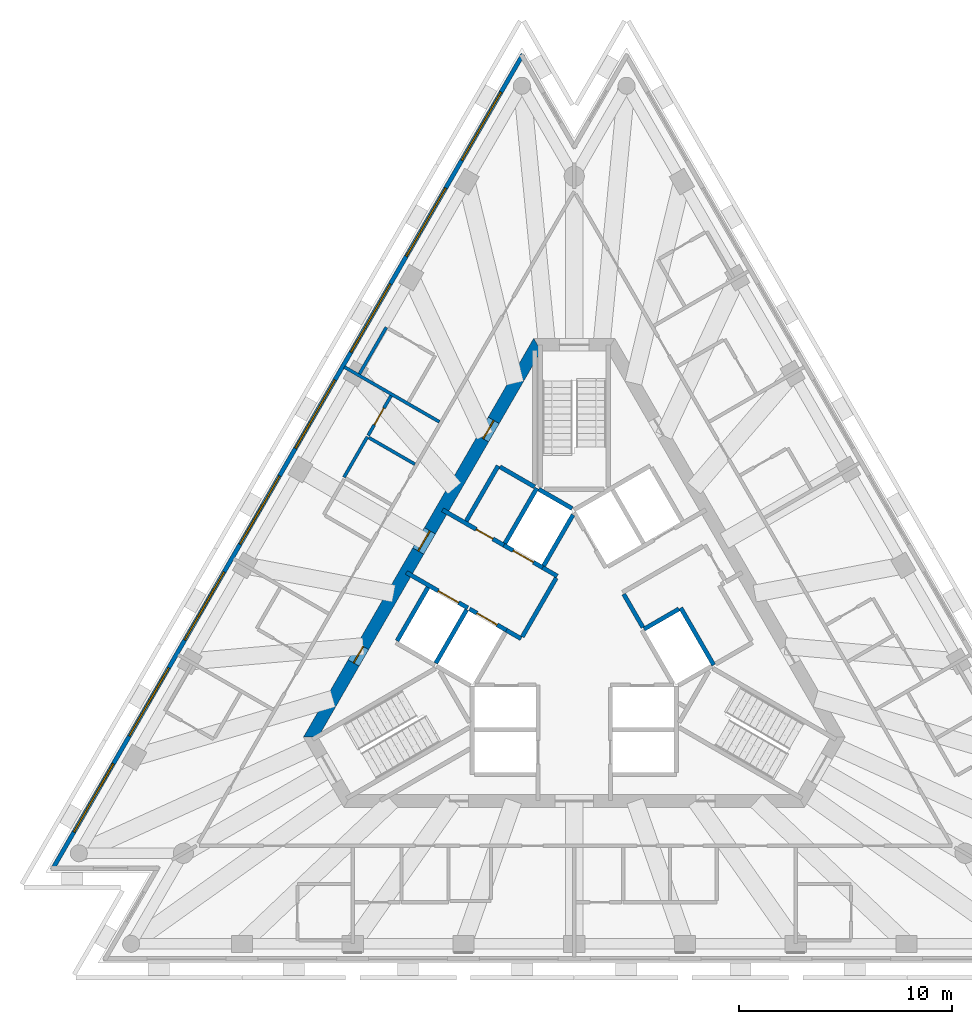
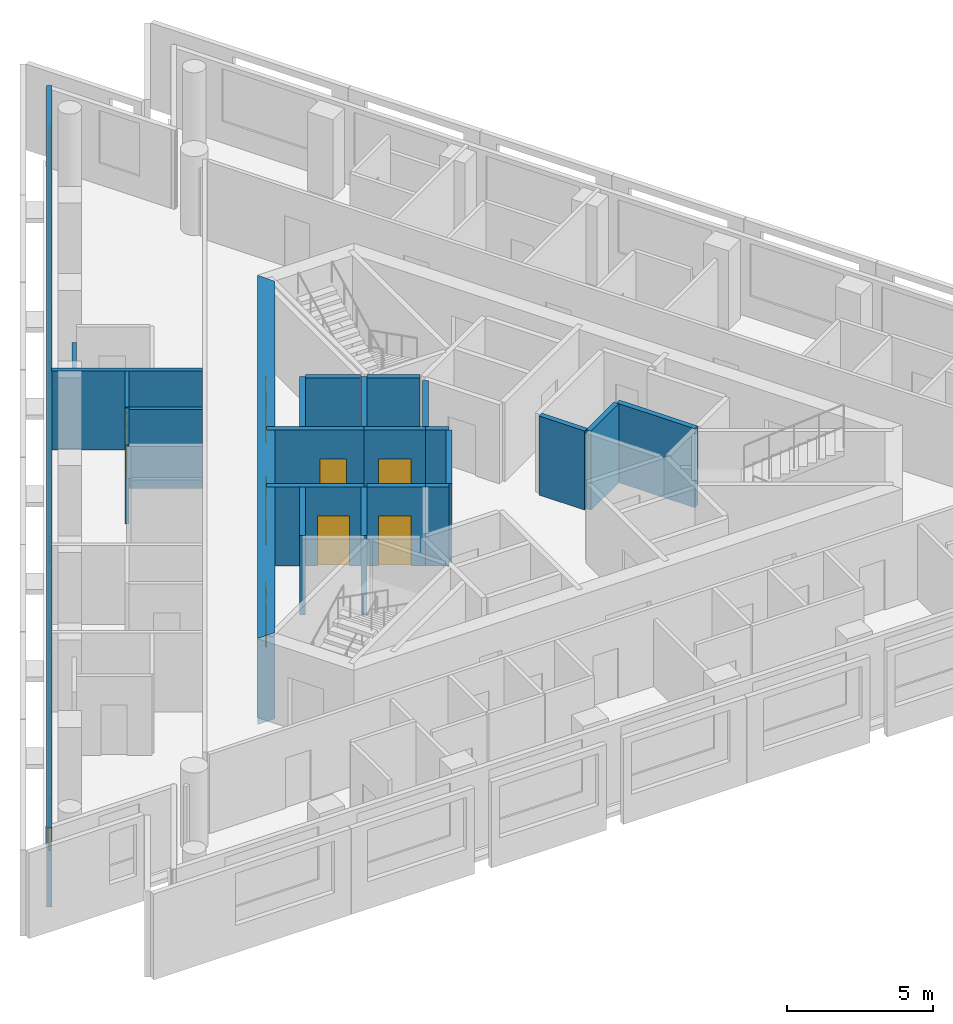
# One storey, part 5 of 10: 24 walls, 8 doors, 8 windows, 16 openings.
"""IFC4 building model written with IfcOpenShell, lengths in metres."""

from ifc_helpers import new_model, si_unit, direction, frame, frame_2d, origin, place, context, subcontext, project, spatial, polyline, rectangle, outline, extrude, material, layer, layer_set, layer_usage, type_object, element, fill, save


model = new_model("IFC4")

# Units and contexts
model_context = context("Model", 3, precision=1e-05, world=origin(), true_north=direction((0.0, 1.0)))
body_context = subcontext(model_context, "Body", "Model", "MODEL_VIEW")
ifc_project = project(units=[si_unit("LENGTHUNIT", "METRE"), si_unit("AREAUNIT", "SQUARE_METRE"), si_unit("VOLUMEUNIT", "CUBIC_METRE"), si_unit("PLANEANGLEUNIT", "RADIAN"), si_unit("MASSUNIT", "GRAM", prefix="KILO")], contexts=[model_context])

# Site, building, storey
site_placement = place(None, origin())
site = spatial("IfcSite", under=ifc_project, at=site_placement, CompositionType="ELEMENT")
building_placement = place(site_placement, origin())
building = spatial("IfcBuilding", under=site, at=building_placement, Name="Triada Interchange Tower", CompositionType="ELEMENT")
storey_placement = place(building_placement, frame((0.0, 0.0, 315.10009765625)))
storey = spatial("IfcBuildingStorey", under=building, at=storey_placement, Name="L75", CompositionType="ELEMENT", Elevation=315.10009765625)

# Walls
ifc_material_1 = material(Name="Concrete C30/37", Category="concrete")
ifc_layer_1 = layer(ifc_material_1, 0.199951171875)
ifc_layer_set_1 = layer_set([ifc_layer_1], Name="CORE WALL 200 EI 120")
wall_type_1 = type_object("IfcWallType", Name="CORE WALL 200 EI 120", PredefinedType="SOLIDWALL", material=ifc_layer_set_1)
wall_1_placement = place(storey_placement, frame((-8.325927734375, -0.6201171875, 0.0), z_axis=(0.0, 0.0, 1.0), x_axis=(0.500023687443, 0.866011727401, 0.0)))
element("IfcWall", 1, at=wall_1_placement, inside=storey, type_object=wall_type_1, Name="Wall L74 65", PredefinedType="SOLIDWALL", context=body_context, shape_type="SweptSolid", body=[
    extrude(rectangle(XDim=2.899658203125, YDim=0.199951171875, at=frame_2d((1.44970703125, 0.0))), origin(), (0.0, 0.0, 1.0), 3.2998046875),
])
wall_2_placement = place(storey_placement, frame((5.007080078125, 0.927978515625, 0.0), z_axis=(0.0, 0.0, 1.0), x_axis=(0.499899694197, -0.866083307622, 0.0)))
element("IfcWall", 2, at=wall_2_placement, inside=storey, type_object=wall_type_1, Name="Wall L74 82", PredefinedType="SOLIDWALL", context=body_context, shape_type="SweptSolid", body=[
    extrude(rectangle(XDim=3.100341796875, YDim=0.199951171875, at=frame_2d((1.55029296875, 0.0))), origin(), (0.0, 0.0, 1.0), 3.2998046875),
])
wall_3_placement = place(storey_placement, frame((3.278076171875, -0.071044921875, 0.0), z_axis=(0.0, 0.0, 1.0), x_axis=(0.865784509405, 0.500417009377, 0.0)))
element("IfcWall", 3, at=wall_3_placement, inside=storey, type_object=wall_type_1, Name="Wall L74 83", PredefinedType="SOLIDWALL", context=body_context, shape_type="SweptSolid", body=[
    extrude(rectangle(XDim=1.896484375, YDim=0.199951171875, at=frame_2d((0.9482421875, 0.0))), origin(), (0.0, 0.0, 1.0), 3.2998046875),
])
wall_4_placement = place(storey_placement, frame((2.324951171875, 1.572998046875, 0.0), z_axis=(0.0, 0.0, 1.0), x_axis=(0.500004188491, -0.866022985545, 0.0)))
element("IfcWall", 4, at=wall_4_placement, inside=storey, type_object=wall_type_1, Name="Wall L74 87", PredefinedType="SOLIDWALL", context=body_context, shape_type="SweptSolid", body=[
    extrude(rectangle(XDim=1.80029296875, YDim=0.199951171875, at=frame_2d((0.900146484375, 0.0))), origin(), (0.0, 0.0, 1.0), 3.2998046875),
])

# Wall, opening, door
ifc_layer_2 = layer(ifc_material_1, 0.199951171875)
ifc_layer_set_2 = layer_set([ifc_layer_2], Name="CORE WALL 200 EI 180")
wall_type_2 = type_object("IfcWallType", Name="CORE WALL 200 EI 180", PredefinedType="SOLIDWALL", material=ifc_layer_set_2)
wall_5_placement = place(storey_placement, frame((-7.89111328125, 2.593017578125, 0.0), z_axis=(0.0, 0.0, 1.0), x_axis=(0.866070917804, -0.499921159118, 0.0)))
wall_5 = element("IfcWall", 5, at=wall_5_placement, inside=storey, type_object=wall_type_2, Name="Wall L74 89", PredefinedType="SOLIDWALL", context=body_context, shape_type="SweptSolid", body=[
    extrude(rectangle(XDim=3.33251953125, YDim=0.199951171875, at=frame_2d((1.666259765625, 0.0))), origin(), (0.0, 0.0, 1.0), 3.2998046875),
])
opening_1_placement = place(wall_5_placement, frame((1.72998046875, 0.0, 0.0)))
opening_1 = element("IfcOpeningElement", 6, at=opening_1_placement, cuts=wall_5, Name="Opening LD-SV1", PredefinedType="OPENING", context=body_context, shape_type="SweptSolid", body=[
    extrude(rectangle(XDim=1.10009765625, YDim=2.10009765625, at=frame_2d((0.550048828125, 1.050048828125))), frame((0.0, 0.10986328125, 0.0), z_axis=(0.0, -1.0, 0.0), x_axis=(1.0, 0.0, 0.0)), (0.0, 0.0, 1.0), 0.219970703125),
])
ifc_material_2 = material(Name="Steel S235 door leaf", Category="steel")
door_type_1 = type_object("IfcDoorType", Name="LIFT LANDING DOOR 1100 EI 120", OperationType="SLIDING_TO_LEFT", PredefinedType="DOOR", material=ifc_material_2)
door_1_placement = place(opening_1_placement, origin())
door_1 = element("IfcDoor", 7, at=door_1_placement, inside=storey, type_object=door_type_1, Name="SV1 landing door L75", OperationType="SLIDING_TO_LEFT", OverallHeight=2.10009765625, OverallWidth=1.10009765625, PredefinedType="DOOR", context=body_context, shape_type="SweptSolid", body=[
    extrude(rectangle(XDim=1.10009765625, YDim=2.10009765625, at=frame_2d((0.550048828125, 1.050048828125))), frame((0.0, 0.02490234375, 0.0), z_axis=(0.0, -1.0, 0.0), x_axis=(1.0, 0.0, 0.0)), (0.0, 0.0, 1.0), 0.050048828125),
])
fill(opening_1, door_1)

# Wall
wall_6_placement = place(storey_placement, frame((-3.18798828125, -0.1220703125, 0.0), z_axis=(0.0, 0.0, 1.0), x_axis=(0.865705793592, -0.50055317294, 0.0)))
element("IfcWall", 8, at=wall_6_placement, inside=storey, type_object=wall_type_2, Name="Wall L74 90", PredefinedType="SOLIDWALL", context=body_context, shape_type="SweptSolid", body=[
    extrude(rectangle(XDim=0.796875, YDim=0.199951171875, at=frame_2d((0.3984375, 0.0))), origin(), (0.0, 0.0, 1.0), 3.2998046875),
])

# Wall, opening, door
wall_7_placement = place(storey_placement, frame((-6.19091796875, 5.537109375, 0.0), z_axis=(0.0, 0.0, 1.0), x_axis=(0.866052607023, -0.499952879648, 0.0)))
wall_7 = element("IfcWall", 9, at=wall_7_placement, inside=storey, type_object=wall_type_2, Name="Wall L74 91", PredefinedType="SOLIDWALL", context=body_context, shape_type="SweptSolid", body=[
    extrude(rectangle(XDim=3.332275390625, YDim=0.199951171875, at=frame_2d((1.666015625, 0.0))), origin(), (0.0, 0.0, 1.0), 3.2998046875),
])
opening_2_placement = place(wall_7_placement, frame((1.830078125, 0.0, 0.0)))
opening_2 = element("IfcOpeningElement", 10, at=opening_2_placement, cuts=wall_7, Name="Opening D74-10", PredefinedType="OPENING", context=body_context, shape_type="SweptSolid", body=[
    extrude(rectangle(XDim=0.89990234375, YDim=2.10009765625, at=frame_2d((0.449951171875, 1.050048828125))), frame((0.0, 0.10986328125, 0.0), z_axis=(0.0, -1.0, 0.0), x_axis=(1.0, 0.0, 0.0)), (0.0, 0.0, 1.0), 0.219970703125),
])
door_type_2 = type_object("IfcDoorType", Name="SERVICE DOOR 900 EI2 90-C5S200", OperationType="NOTDEFINED", PredefinedType="DOOR", material=ifc_material_2)
door_2_placement = place(opening_2_placement, origin())
door_2 = element("IfcDoor", 11, at=door_2_placement, inside=storey, type_object=door_type_2, Name="Door D74-10 L75", OperationType="SINGLE_SWING_LEFT", OverallHeight=2.10009765625, OverallWidth=0.89990234375, PredefinedType="DOOR", context=body_context, shape_type="SweptSolid", body=[
    extrude(rectangle(XDim=0.89990234375, YDim=2.10009765625, at=frame_2d((0.449951171875, 1.050048828125))), frame((0.0, 0.02490234375, 0.0), z_axis=(0.0, -1.0, 0.0), x_axis=(1.0, 0.0, 0.0)), (0.0, 0.0, 1.0), 0.050048828125),
])
fill(opening_2, door_2)

# Walls
wall_8_placement = place(storey_placement, frame((-1.488037109375, 2.822021484375, 0.0), z_axis=(0.0, 0.0, 1.0), x_axis=(0.866236612152, -0.499633997809, 0.0)))
element("IfcWall", 12, at=wall_8_placement, inside=storey, type_object=wall_type_2, Name="Wall L74 92", PredefinedType="SOLIDWALL", context=body_context, shape_type="SweptSolid", body=[
    extrude(rectangle(XDim=0.79638671875, YDim=0.199951171875, at=frame_2d((0.398193359375, 0.0))), origin(), (0.0, 0.0, 1.0), 3.2998046875),
])
wall_9_placement = place(storey_placement, frame((-5.075927734375, 5.009033203125, 0.0), z_axis=(0.0, 0.0, 1.0), x_axis=(0.50002537861, 0.866010750942, 0.0)))
element("IfcWall", 13, at=wall_9_placement, inside=storey, type_object=wall_type_2, Name="Wall L74 93", PredefinedType="SOLIDWALL", context=body_context, shape_type="SweptSolid", body=[
    extrude(rectangle(XDim=2.999755859375, YDim=0.199951171875, at=frame_2d((1.5, 0.0))), origin(), (0.0, 0.0, 1.0), 3.2998046875),
])
wall_10_placement = place(storey_placement, frame((-3.489013671875, 7.556884765625, 0.0), z_axis=(0.0, 0.0, 1.0), x_axis=(0.866012558475, -0.500022248069, 0.0)))
element("IfcWall", 14, at=wall_10_placement, inside=storey, type_object=wall_type_2, Name="Wall L74 94", PredefinedType="SOLIDWALL", context=body_context, shape_type="SweptSolid", body=[
    extrude(rectangle(XDim=1.8798828125, YDim=0.199951171875, at=frame_2d((0.93994140625, 0.0))), origin(), (0.0, 0.0, 1.0), 3.2998046875),
])
wall_11_placement = place(storey_placement, frame((-2.444091796875, -0.43310546875, 0.0), z_axis=(0.0, 0.0, 1.0), x_axis=(0.500035624827, 0.866004834804, 0.0)))
element("IfcWall", 15, at=wall_11_placement, inside=storey, type_object=wall_type_2, Name="Wall L74 95", PredefinedType="SOLIDWALL", context=body_context, shape_type="SweptSolid", body=[
    extrude(rectangle(XDim=3.194091796875, YDim=0.199951171875, at=frame_2d((1.59716796875, 0.0))), origin(), (0.0, 0.0, 1.0), 3.2998046875),
])
wall_12_placement = place(storey_placement, frame((-6.507080078125, -1.669921875, 0.0), z_axis=(0.0, 0.0, 1.0), x_axis=(0.50012328804, 0.865954211699, 0.0)))
element("IfcWall", 16, at=wall_12_placement, inside=storey, type_object=wall_type_2, Name="Shaft wall FF1 L74 96", PredefinedType="SOLIDWALL", context=body_context, shape_type="SweptSolid", body=[
    extrude(rectangle(XDim=2.899658203125, YDim=0.199951171875, at=frame_2d((1.44970703125, 0.0))), origin(), (0.0, 0.0, 1.0), 3.2998046875),
])

# Wall, opening, door
wall_13_placement = place(storey_placement, frame((-4.922119140625, 0.87890625, 0.0), z_axis=(0.0, 0.0, 1.0), x_axis=(0.866073918653, -0.499915960366, 0.0)))
wall_13 = element("IfcWall", 17, at=wall_13_placement, inside=storey, type_object=wall_type_2, Name="Shaft wall FF1 L74 98", PredefinedType="SOLIDWALL", context=body_context, shape_type="SweptSolid", body=[
    extrude(rectangle(XDim=2.002197265625, YDim=0.199951171875, at=frame_2d((1.0009765625, 0.0))), origin(), (0.0, 0.0, 1.0), 3.2998046875),
])
opening_3_placement = place(wall_13_placement, frame((0.402099609375, 0.0, 0.0)))
opening_3 = element("IfcOpeningElement", 18, at=opening_3_placement, cuts=wall_13, Name="Opening LD-FF1", PredefinedType="OPENING", context=body_context, shape_type="SweptSolid", body=[
    extrude(rectangle(XDim=1.10009765625, YDim=2.10009765625, at=frame_2d((0.550048828125, 1.050048828125))), frame((0.0, 0.10986328125, 0.0), z_axis=(0.0, -1.0, 0.0), x_axis=(1.0, 0.0, 0.0)), (0.0, 0.0, 1.0), 0.219970703125),
])
door_3_placement = place(opening_3_placement, origin())
door_3 = element("IfcDoor", 19, at=door_3_placement, inside=storey, type_object=door_type_1, Name="FF1 landing door L75", OperationType="SLIDING_TO_LEFT", OverallHeight=2.10009765625, OverallWidth=1.10009765625, PredefinedType="DOOR", context=body_context, shape_type="SweptSolid", body=[
    extrude(rectangle(XDim=1.10009765625, YDim=2.10009765625, at=frame_2d((0.550048828125, 1.050048828125))), frame((0.0, 0.02490234375, 0.0), z_axis=(0.0, -1.0, 0.0), x_axis=(1.0, 0.0, 0.0)), (0.0, 0.0, 1.0), 0.050048828125),
])
fill(opening_3, door_3)

wall_14_placement = place(storey_placement, frame((-3.30908203125, 3.873046875, 0.0), z_axis=(0.0, 0.0, 1.0), x_axis=(0.866098583652, -0.499873227325, 0.0)))
wall_14 = element("IfcWall", 20, at=wall_14_placement, inside=storey, type_object=wall_type_2, Name="Shaft wall FF2 L74 100", PredefinedType="SOLIDWALL", context=body_context, shape_type="SweptSolid", body=[
    extrude(rectangle(XDim=2.1025390625, YDim=0.199951171875, at=frame_2d((1.05126953125, 0.0))), origin(), (0.0, 0.0, 1.0), 3.2998046875),
])
opening_4_placement = place(wall_14_placement, frame((0.501953125, 0.0, 0.0)))
opening_4 = element("IfcOpeningElement", 21, at=opening_4_placement, cuts=wall_14, Name="Opening LD-FF2", PredefinedType="OPENING", context=body_context, shape_type="SweptSolid", body=[
    extrude(rectangle(XDim=1.10009765625, YDim=2.10009765625, at=frame_2d((0.550048828125, 1.050048828125))), frame((0.0, 0.10986328125, 0.0), z_axis=(0.0, -1.0, 0.0), x_axis=(1.0, 0.0, 0.0)), (0.0, 0.0, 1.0), 0.219970703125),
])
door_4_placement = place(opening_4_placement, origin())
door_4 = element("IfcDoor", 22, at=door_4_placement, inside=storey, type_object=door_type_1, Name="FF2 landing door L75", OperationType="SLIDING_TO_LEFT", OverallHeight=2.10009765625, OverallWidth=1.10009765625, PredefinedType="DOOR", context=body_context, shape_type="SweptSolid", body=[
    extrude(rectangle(XDim=1.10009765625, YDim=2.10009765625, at=frame_2d((0.550048828125, 1.050048828125))), frame((0.0, 0.02490234375, 0.0), z_axis=(0.0, -1.0, 0.0), x_axis=(1.0, 0.0, 0.0)), (0.0, 0.0, 1.0), 0.050048828125),
])
fill(opening_4, door_4)

# Walls
wall_15_placement = place(storey_placement, frame((-3.257080078125, 3.958984375, 0.0), z_axis=(0.0, 0.0, 1.0), x_axis=(0.50002537861, 0.866010750942, 0.0)))
element("IfcWall", 23, at=wall_15_placement, inside=storey, type_object=wall_type_2, Name="Shaft wall FF2 L74 101", PredefinedType="SOLIDWALL", context=body_context, shape_type="SweptSolid", body=[
    extrude(rectangle(XDim=2.999755859375, YDim=0.199951171875, at=frame_2d((1.5, 0.0))), origin(), (0.0, 0.0, 1.0), 3.2998046875),
])
wall_16_placement = place(storey_placement, frame((-1.669921875, 6.507080078125, 0.0), z_axis=(0.0, 0.0, 1.0), x_axis=(0.865941441609, -0.500145398563, 0.0)))
element("IfcWall", 24, at=wall_16_placement, inside=storey, type_object=wall_type_2, Name="Shaft wall FF2 L74 102", PredefinedType="SOLIDWALL", context=body_context, shape_type="SweptSolid", body=[
    extrude(rectangle(XDim=1.8154296875, YDim=0.199951171875, at=frame_2d((0.90771484375, 0.0))), origin(), (0.0, 0.0, 1.0), 3.2998046875),
])
wall_17_placement = place(storey_placement, frame((-1.43798828125, 2.908935546875, 0.0), z_axis=(0.0, 0.0, 1.0), x_axis=(0.499829630636, 0.866123744241, 0.0)))
element("IfcWall", 25, at=wall_17_placement, inside=storey, type_object=wall_type_2, Name="Shaft wall FF2 L74 103", PredefinedType="SOLIDWALL", context=body_context, shape_type="SweptSolid", body=[
    extrude(rectangle(XDim=2.7607421875, YDim=0.199951171875, at=frame_2d((1.38037109375, 0.0))), origin(), (0.0, 0.0, 1.0), 3.2998046875),
])

# Wall, openings, doors
ifc_material_3 = material(Name="Concrete C40/50", Category="concrete")
ifc_layer_3 = layer(ifc_material_3, 0.60009765625)
ifc_layer_set_3 = layer_set([ifc_layer_3], Name="Core wall D 600")
wall_type_3 = type_object("IfcWallType", Name="Core wall D 600", PredefinedType="SHEAR", material=ifc_layer_set_3)
wall_18_placement = place(storey_placement, frame((-1.73193359375, 13.300048828125, -0.300048828125), z_axis=(0.0, 0.0, 1.0), x_axis=(-0.500000539815, -0.866025092122, 0.0)))
wall_18 = element("IfcWall", 26, at=wall_18_placement, inside=storey, type_object=wall_type_3, Name="Core wall WD02 L75", PredefinedType="SHEAR", context=body_context, shape_type="SweptSolid", body=[
    extrude(outline(polyline([(-0.173095703125, -0.300048828125), (1.795166015625, -0.300048828125), (3.763427734375, -0.30029296875), (5.731689453125, -0.30029296875), (7.699951171875, -0.30029296875), (9.668212890625, -0.300537109375), (11.63671875, -0.300537109375), (13.60498046875, -0.30078125), (15.5732421875, -0.30078125), (17.54150390625, -0.30078125), (19.509765625, -0.301025390625), (21.47802734375, -0.301025390625), (21.131103515625, 0.300048828125), (19.225830078125, 0.300048828125), (17.320556640625, 0.300048828125), (15.415283203125, 0.300048828125), (13.510009765625, 0.300048828125), (11.604736328125, 0.300048828125), (9.699462890625, 0.300048828125), (7.794189453125, 0.300048828125), (5.888916015625, 0.300048828125), (3.983642578125, 0.300048828125), (2.078369140625, 0.300048828125), (0.173095703125, 0.300048828125), (-0.173095703125, -0.300048828125)])), origin(), (0.0, 0.0, 1.0), 3.599853515625),
])
opening_5_placement = place(wall_18_placement, frame((10.10205078125, 0.0, 0.300048828125)))
opening_5 = element("IfcOpeningElement", 27, at=opening_5_placement, cuts=wall_18, Name="Opening D74-49", PredefinedType="OPENING", context=body_context, shape_type="SweptSolid", body=[
    extrude(rectangle(XDim=1.10009765625, YDim=2.10009765625, at=frame_2d((0.550048828125, 1.050048828125))), frame((0.0, 0.31005859375, 0.0), z_axis=(0.0, -1.0, 0.0), x_axis=(1.0, 0.0, 0.0)), (0.0, 0.0, 1.0), 0.62109375),
])
opening_6_placement = place(wall_18_placement, frame((16.3779296875, 0.0, 0.300048828125)))
opening_6 = element("IfcOpeningElement", 28, at=opening_6_placement, cuts=wall_18, Name="Opening D74-50", PredefinedType="OPENING", context=body_context, shape_type="SweptSolid", body=[
    extrude(rectangle(XDim=0.89990234375, YDim=2.10009765625, at=frame_2d((0.449951171875, 1.050048828125))), frame((0.0, 0.31005859375, 0.0), z_axis=(0.0, -1.0, 0.0), x_axis=(1.0, 0.0, 0.0)), (0.0, 0.0, 1.0), 0.62109375),
])
opening_7_placement = place(wall_18_placement, frame((4.10595703125, 0.0, 0.300048828125)))
opening_7 = element("IfcOpeningElement", 29, at=opening_7_placement, cuts=wall_18, Name="Opening D74-52", PredefinedType="OPENING", context=body_context, shape_type="SweptSolid", body=[
    extrude(rectangle(XDim=1.0, YDim=2.10009765625, at=frame_2d((0.5, 1.050048828125))), frame((0.0, 0.31005859375, 0.0), z_axis=(0.0, -1.0, 0.0), x_axis=(1.0, 0.0, 0.0)), (0.0, 0.0, 1.0), 0.62109375),
])
door_type_3 = type_object("IfcDoorType", Name="FIRE LOBBY DOOR 1100 EI2 90-C5S200", OperationType="NOTDEFINED", PredefinedType="DOOR", material=ifc_material_2)
door_5_placement = place(opening_5_placement, origin())
door_5 = element("IfcDoor", 30, at=door_5_placement, inside=storey, type_object=door_type_3, Name="Door D74-49 L75", OperationType="SINGLE_SWING_RIGHT", OverallHeight=2.10009765625, OverallWidth=1.10009765625, PredefinedType="DOOR", context=body_context, shape_type="SweptSolid", body=[
    extrude(rectangle(XDim=1.10009765625, YDim=2.10009765625, at=frame_2d((0.550048828125, 1.050048828125))), frame((0.0, 0.02490234375, 0.0), z_axis=(0.0, -1.0, 0.0), x_axis=(1.0, 0.0, 0.0)), (0.0, 0.0, 1.0), 0.050048828125),
])
fill(opening_5, door_5)
door_type_4 = type_object("IfcDoorType", Name="SERVICE DOOR 1000 EI2 45-C5S200", OperationType="NOTDEFINED", PredefinedType="DOOR", material=ifc_material_2)
door_6_placement = place(opening_7_placement, origin())
door_6 = element("IfcDoor", 31, at=door_6_placement, inside=storey, type_object=door_type_4, Name="Door D74-52 L75", OperationType="SINGLE_SWING_LEFT", OverallHeight=2.10009765625, OverallWidth=1.0, PredefinedType="DOOR", context=body_context, shape_type="SweptSolid", body=[
    extrude(rectangle(XDim=1.0, YDim=2.10009765625, at=frame_2d((0.5, 1.050048828125))), frame((0.0, 0.02490234375, 0.0), z_axis=(0.0, -1.0, 0.0), x_axis=(1.0, 0.0, 0.0)), (0.0, 0.0, 1.0), 0.050048828125),
])
fill(opening_7, door_6)
door_type_5 = type_object("IfcDoorType", Name="SERVICE DOOR 900 EI2 45-C5S200", OperationType="NOTDEFINED", PredefinedType="DOOR", material=ifc_material_2)
door_7_placement = place(opening_6_placement, origin())
door_7 = element("IfcDoor", 32, at=door_7_placement, inside=storey, type_object=door_type_5, Name="Door D74-50 L75", OperationType="SINGLE_SWING_RIGHT", OverallHeight=2.10009765625, OverallWidth=0.89990234375, PredefinedType="DOOR", context=body_context, shape_type="SweptSolid", body=[
    extrude(rectangle(XDim=0.89990234375, YDim=2.10009765625, at=frame_2d((0.449951171875, 1.050048828125))), frame((0.0, 0.02490234375, 0.0), z_axis=(0.0, -1.0, 0.0), x_axis=(1.0, 0.0, 0.0)), (0.0, 0.0, 1.0), 0.050048828125),
])
fill(opening_6, door_7)

# Wall, openings, windows
ifc_material_4 = material(Name="Cement board")
ifc_layer_4 = layer(ifc_material_4, 0.02001953125, Name="Cement board cladding")
ifc_material_5 = material(Name="Sheathing board")
ifc_layer_5 = layer(ifc_material_5, 0.014892578125, Name="Sheathing board")
ifc_material_6 = material(Name="Mineral wool")
ifc_layer_6 = layer(ifc_material_6, 0.14990234375, Name="Mineral wool between steel studs")
ifc_material_7 = material(Name="Gypsum board")
ifc_layer_7 = layer(ifc_material_7, 0.014892578125, Name="Plasterboard lining")
ifc_layer_set_4 = layer_set([ifc_layer_4, ifc_layer_5, ifc_layer_6, ifc_layer_7], Name="External wall 200")
ifc_layer_usage = layer_usage(ifc_layer_set_4, "AXIS2", "POSITIVE", -0.10009765625)
wall_type_4 = type_object("IfcWallType", Name="External wall 200", PredefinedType="ELEMENTEDWALL", material=ifc_layer_set_4)
wall_19_placement = place(storey_placement, frame((-2.412109375, 26.947998046875, 0.0), z_axis=(0.0, 0.0, 1.0), x_axis=(-0.500002044679, -0.866024223285, 0.0)))
wall_19 = element("IfcWall", 33, at=wall_19_placement, inside=storey, type_object=wall_type_4, material=ifc_layer_usage, Name="External wall L75 NW", PredefinedType="ELEMENTEDWALL", context=body_context, shape_type="SweptSolid", body=[
    extrude(rectangle(XDim=44.243408203125, YDim=0.199951171875, at=frame_2d((22.12158203125, 0.0))), origin(), (0.0, 0.0, 1.0), 3.2998046875),
])
opening_8_placement = place(wall_19_placement, frame((2.055908203125, 0.0, 0.89990234375)))
opening_8 = element("IfcOpeningElement", 34, at=opening_8_placement, cuts=wall_19, Name="Opening WD01", PredefinedType="OPENING", context=body_context, shape_type="SweptSolid", body=[
    extrude(rectangle(XDim=3.699951171875, YDim=2.199951171875, at=frame_2d((1.85009765625, 1.10009765625))), frame((0.0, 0.10986328125, 0.0), z_axis=(0.0, -1.0, 0.0), x_axis=(1.0, 0.0, 0.0)), (0.0, 0.0, 1.0), 0.219970703125),
])
opening_9_placement = place(wall_19_placement, frame((7.262939453125, 0.0, 0.89990234375)))
opening_9 = element("IfcOpeningElement", 35, at=opening_9_placement, cuts=wall_19, Name="Opening WD02", PredefinedType="OPENING", context=body_context, shape_type="SweptSolid", body=[
    extrude(rectangle(XDim=3.699951171875, YDim=2.199951171875, at=frame_2d((1.85009765625, 1.10009765625))), frame((0.0, 0.10986328125, 0.0), z_axis=(0.0, -1.0, 0.0), x_axis=(1.0, 0.0, 0.0)), (0.0, 0.0, 1.0), 0.219970703125),
])
opening_10_placement = place(wall_19_placement, frame((12.470947265625, 0.0, 0.89990234375)))
opening_10 = element("IfcOpeningElement", 36, at=opening_10_placement, cuts=wall_19, Name="Opening WD03", PredefinedType="OPENING", context=body_context, shape_type="SweptSolid", body=[
    extrude(rectangle(XDim=3.699951171875, YDim=2.199951171875, at=frame_2d((1.85009765625, 1.10009765625))), frame((0.0, 0.10986328125, 0.0), z_axis=(0.0, -1.0, 0.0), x_axis=(1.0, 0.0, 0.0)), (0.0, 0.0, 1.0), 0.219970703125),
])
opening_11_placement = place(wall_19_placement, frame((17.677978515625, 0.0, 0.89990234375)))
opening_11 = element("IfcOpeningElement", 37, at=opening_11_placement, cuts=wall_19, Name="Opening WD04", PredefinedType="OPENING", context=body_context, shape_type="SweptSolid", body=[
    extrude(rectangle(XDim=3.699951171875, YDim=2.199951171875, at=frame_2d((1.85009765625, 1.10009765625))), frame((0.0, 0.10986328125, 0.0), z_axis=(0.0, -1.0, 0.0), x_axis=(1.0, 0.0, 0.0)), (0.0, 0.0, 1.0), 0.219970703125),
])
opening_12_placement = place(wall_19_placement, frame((22.885009765625, 0.0, 0.89990234375)))
opening_12 = element("IfcOpeningElement", 38, at=opening_12_placement, cuts=wall_19, Name="Opening WD05", PredefinedType="OPENING", context=body_context, shape_type="SweptSolid", body=[
    extrude(rectangle(XDim=3.699951171875, YDim=2.199951171875, at=frame_2d((1.85009765625, 1.10009765625))), frame((0.0, 0.10986328125, 0.0), z_axis=(0.0, -1.0, 0.0), x_axis=(1.0, 0.0, 0.0)), (0.0, 0.0, 1.0), 0.219970703125),
])
opening_13_placement = place(wall_19_placement, frame((28.092041015625, 0.0, 0.89990234375)))
opening_13 = element("IfcOpeningElement", 39, at=opening_13_placement, cuts=wall_19, Name="Opening WD06", PredefinedType="OPENING", context=body_context, shape_type="SweptSolid", body=[
    extrude(rectangle(XDim=3.699951171875, YDim=2.199951171875, at=frame_2d((1.85009765625, 1.10009765625))), frame((0.0, 0.10986328125, 0.0), z_axis=(0.0, -1.0, 0.0), x_axis=(1.0, 0.0, 0.0)), (0.0, 0.0, 1.0), 0.219970703125),
])
opening_14_placement = place(wall_19_placement, frame((33.300048828125, 0.0, 0.89990234375)))
opening_14 = element("IfcOpeningElement", 40, at=opening_14_placement, cuts=wall_19, Name="Opening WD07", PredefinedType="OPENING", context=body_context, shape_type="SweptSolid", body=[
    extrude(rectangle(XDim=3.699951171875, YDim=2.199951171875, at=frame_2d((1.85009765625, 1.10009765625))), frame((0.0, 0.10986328125, 0.0), z_axis=(0.0, -1.0, 0.0), x_axis=(1.0, 0.0, 0.0)), (0.0, 0.0, 1.0), 0.219970703125),
])
opening_15_placement = place(wall_19_placement, frame((38.507080078125, 0.0, 0.89990234375)))
opening_15 = element("IfcOpeningElement", 41, at=opening_15_placement, cuts=wall_19, Name="Opening WD08", PredefinedType="OPENING", context=body_context, shape_type="SweptSolid", body=[
    extrude(rectangle(XDim=3.699951171875, YDim=2.199951171875, at=frame_2d((1.85009765625, 1.10009765625))), frame((0.0, 0.10986328125, 0.0), z_axis=(0.0, -1.0, 0.0), x_axis=(1.0, 0.0, 0.0)), (0.0, 0.0, 1.0), 0.219970703125),
])
ifc_material_8 = material(Name="Double glazed aluminium window", Category="aluminium")
window_type = type_object("IfcWindowType", Name="Ribbon window D face", PartitioningType="SINGLE_PANEL", PredefinedType="WINDOW", material=ifc_material_8)
window_1_placement = place(opening_8_placement, origin())
window_1 = element("IfcWindow", 42, at=window_1_placement, inside=storey, type_object=window_type, Name="Window L75 NW 1", OverallHeight=2.199951171875, OverallWidth=3.699951171875, PartitioningType="SINGLE_PANEL", PredefinedType="WINDOW", context=body_context, shape_type="SweptSolid", body=[
    extrude(rectangle(XDim=3.699951171875, YDim=2.199951171875, at=frame_2d((1.85009765625, 1.10009765625))), frame((0.0, 0.030029296875, 0.0), z_axis=(0.0, -1.0, 0.0), x_axis=(1.0, 0.0, 0.0)), (0.0, 0.0, 1.0), 0.06005859375),
])
fill(opening_8, window_1)
window_2_placement = place(opening_9_placement, origin())
window_2 = element("IfcWindow", 43, at=window_2_placement, inside=storey, type_object=window_type, Name="Window L75 NW 2", OverallHeight=2.199951171875, OverallWidth=3.699951171875, PartitioningType="SINGLE_PANEL", PredefinedType="WINDOW", context=body_context, shape_type="SweptSolid", body=[
    extrude(rectangle(XDim=3.699951171875, YDim=2.199951171875, at=frame_2d((1.85009765625, 1.10009765625))), frame((0.0, 0.030029296875, 0.0), z_axis=(0.0, -1.0, 0.0), x_axis=(1.0, 0.0, 0.0)), (0.0, 0.0, 1.0), 0.06005859375),
])
fill(opening_9, window_2)
window_3_placement = place(opening_10_placement, origin())
window_3 = element("IfcWindow", 44, at=window_3_placement, inside=storey, type_object=window_type, Name="Window L75 NW 3", OverallHeight=2.199951171875, OverallWidth=3.699951171875, PartitioningType="SINGLE_PANEL", PredefinedType="WINDOW", context=body_context, shape_type="SweptSolid", body=[
    extrude(rectangle(XDim=3.699951171875, YDim=2.199951171875, at=frame_2d((1.85009765625, 1.10009765625))), frame((0.0, 0.030029296875, 0.0), z_axis=(0.0, -1.0, 0.0), x_axis=(1.0, 0.0, 0.0)), (0.0, 0.0, 1.0), 0.06005859375),
])
fill(opening_10, window_3)
window_4_placement = place(opening_11_placement, origin())
window_4 = element("IfcWindow", 45, at=window_4_placement, inside=storey, type_object=window_type, Name="Window L75 NW 4", OverallHeight=2.199951171875, OverallWidth=3.699951171875, PartitioningType="SINGLE_PANEL", PredefinedType="WINDOW", context=body_context, shape_type="SweptSolid", body=[
    extrude(rectangle(XDim=3.699951171875, YDim=2.199951171875, at=frame_2d((1.85009765625, 1.10009765625))), frame((0.0, 0.030029296875, 0.0), z_axis=(0.0, -1.0, 0.0), x_axis=(1.0, 0.0, 0.0)), (0.0, 0.0, 1.0), 0.06005859375),
])
fill(opening_11, window_4)
window_5_placement = place(opening_12_placement, origin())
window_5 = element("IfcWindow", 46, at=window_5_placement, inside=storey, type_object=window_type, Name="Window L75 NW 5", OverallHeight=2.199951171875, OverallWidth=3.699951171875, PartitioningType="SINGLE_PANEL", PredefinedType="WINDOW", context=body_context, shape_type="SweptSolid", body=[
    extrude(rectangle(XDim=3.699951171875, YDim=2.199951171875, at=frame_2d((1.85009765625, 1.10009765625))), frame((0.0, 0.030029296875, 0.0), z_axis=(0.0, -1.0, 0.0), x_axis=(1.0, 0.0, 0.0)), (0.0, 0.0, 1.0), 0.06005859375),
])
fill(opening_12, window_5)
window_6_placement = place(opening_13_placement, origin())
window_6 = element("IfcWindow", 47, at=window_6_placement, inside=storey, type_object=window_type, Name="Window L75 NW 6", OverallHeight=2.199951171875, OverallWidth=3.699951171875, PartitioningType="SINGLE_PANEL", PredefinedType="WINDOW", context=body_context, shape_type="SweptSolid", body=[
    extrude(rectangle(XDim=3.699951171875, YDim=2.199951171875, at=frame_2d((1.85009765625, 1.10009765625))), frame((0.0, 0.030029296875, 0.0), z_axis=(0.0, -1.0, 0.0), x_axis=(1.0, 0.0, 0.0)), (0.0, 0.0, 1.0), 0.06005859375),
])
fill(opening_13, window_6)
window_7_placement = place(opening_14_placement, origin())
window_7 = element("IfcWindow", 48, at=window_7_placement, inside=storey, type_object=window_type, Name="Window L75 NW 7", OverallHeight=2.199951171875, OverallWidth=3.699951171875, PartitioningType="SINGLE_PANEL", PredefinedType="WINDOW", context=body_context, shape_type="SweptSolid", body=[
    extrude(rectangle(XDim=3.699951171875, YDim=2.199951171875, at=frame_2d((1.85009765625, 1.10009765625))), frame((0.0, 0.030029296875, 0.0), z_axis=(0.0, -1.0, 0.0), x_axis=(1.0, 0.0, 0.0)), (0.0, 0.0, 1.0), 0.06005859375),
])
fill(opening_14, window_7)
window_8_placement = place(opening_15_placement, origin())
window_8 = element("IfcWindow", 49, at=window_8_placement, inside=storey, type_object=window_type, Name="Window L75 NW 8", OverallHeight=2.199951171875, OverallWidth=3.699951171875, PartitioningType="SINGLE_PANEL", PredefinedType="WINDOW", context=body_context, shape_type="SweptSolid", body=[
    extrude(rectangle(XDim=3.699951171875, YDim=2.199951171875, at=frame_2d((1.85009765625, 1.10009765625))), frame((0.0, 0.030029296875, 0.0), z_axis=(0.0, -1.0, 0.0), x_axis=(1.0, 0.0, 0.0)), (0.0, 0.0, 1.0), 0.06005859375),
])
fill(opening_15, window_8)

# Walls
ifc_material_9 = material(Name="Gypsum board partition")
ifc_layer_8 = layer(ifc_material_9, 0.14990234375)
ifc_layer_set_5 = layer_set([ifc_layer_8], Name="PARTITION 150 EI 180")
wall_type_5 = type_object("IfcWallType", Name="PARTITION 150 EI 180", PredefinedType="PARTITIONING", material=ifc_layer_set_5)
wall_20_placement = place(storey_placement, frame((-10.804931640625, 12.2509765625, 0.0), z_axis=(0.0, 0.0, 1.0), x_axis=(0.86604134632, -0.499972385701, 0.0)))
element("IfcWall", 50, at=wall_20_placement, inside=storey, type_object=wall_type_5, Name="Wall L74 7", PredefinedType="PARTITIONING", context=body_context, shape_type="SweptSolid", body=[
    extrude(rectangle(XDim=5.157958984375, YDim=0.14990234375, at=frame_2d((2.5791015625, 0.0))), origin(), (0.0, 0.0, 1.0), 3.2998046875),
])
wall_21_placement = place(storey_placement, frame((-10.823974609375, 7.06591796875, 0.0), z_axis=(0.0, 0.0, 1.0), x_axis=(0.499994660107, 0.866028486751, 0.0)))
element("IfcWall", 51, at=wall_21_placement, inside=storey, type_object=wall_type_5, Name="Wall L74 8", PredefinedType="PARTITIONING", context=body_context, shape_type="SweptSolid", body=[
    extrude(rectangle(XDim=2.19970703125, YDim=0.14990234375, at=frame_2d((1.099853515625, 0.0))), origin(), (0.0, 0.0, 1.0), 3.2998046875),
])
wall_22_placement = place(storey_placement, frame((-9.658935546875, 8.93310546875, 0.0), z_axis=(0.0, 0.0, 1.0), x_axis=(0.866059082011, -0.499941663064, 0.0)))
element("IfcWall", 52, at=wall_22_placement, inside=storey, type_object=wall_type_5, Name="Wall L74 13", PredefinedType="PARTITIONING", context=body_context, shape_type="SweptSolid", body=[
    extrude(rectangle(XDim=2.506591796875, YDim=0.14990234375, at=frame_2d((1.25341796875, 0.0))), origin(), (0.0, 0.0, 1.0), 3.2998046875),
])
ifc_layer_9 = layer(ifc_material_9, 0.14990234375)
ifc_layer_set_6 = layer_set([ifc_layer_9], Name="PARTITION 150 EI 90")
wall_type_6 = type_object("IfcWallType", Name="PARTITION 150 EI 90", PredefinedType="PARTITIONING", material=ifc_layer_set_6)
wall_23_placement = place(storey_placement, frame((-10.094970703125, 11.927978515625, 0.0), z_axis=(0.0, 0.0, 1.0), x_axis=(0.499956887143, 0.866050293573, 0.0)))
element("IfcWall", 53, at=wall_23_placement, inside=storey, type_object=wall_type_6, Name="Wall L74 32", PredefinedType="PARTITIONING", context=body_context, shape_type="SweptSolid", body=[
    extrude(rectangle(XDim=2.524169921875, YDim=0.14990234375, at=frame_2d((1.26220703125, 0.0))), origin(), (0.0, 0.0, 1.0), 2.599853515625),
])

# Wall, opening, door
wall_24_placement = place(storey_placement, frame((-9.68701171875, 9.033935546875, 0.0), z_axis=(0.0, 0.0, 1.0), x_axis=(0.499909024581, 0.866077922096, 0.0)))
wall_24 = element("IfcWall", 54, at=wall_24_placement, inside=storey, type_object=wall_type_6, Name="Wall L74 37", PredefinedType="PARTITIONING", context=body_context, shape_type="SweptSolid", body=[
    extrude(rectangle(XDim=2.15234375, YDim=0.14990234375, at=frame_2d((1.076171875, 0.0))), origin(), (0.0, 0.0, 1.0), 3.2998046875),
])
opening_16_placement = place(wall_24_placement, frame((0.576904296875, 0.0, 0.0)))
opening_16 = element("IfcOpeningElement", 55, at=opening_16_placement, cuts=wall_24, Name="Opening D74-38", PredefinedType="OPENING", context=body_context, shape_type="SweptSolid", body=[
    extrude(rectangle(XDim=0.89990234375, YDim=2.10009765625, at=frame_2d((0.449951171875, 1.050048828125))), frame((0.0, 0.0849609375, 0.0), z_axis=(0.0, -1.0, 0.0), x_axis=(1.0, 0.0, 0.0)), (0.0, 0.0, 1.0), 0.169921875),
])
door_type_6 = type_object("IfcDoorType", Name="ROOM DOOR 900 EI2 45-C5S200", OperationType="NOTDEFINED", PredefinedType="DOOR", material=ifc_material_2)
door_8_placement = place(opening_16_placement, origin())
door_8 = element("IfcDoor", 56, at=door_8_placement, inside=storey, type_object=door_type_6, Name="Door D74-38 L75", OperationType="SINGLE_SWING_LEFT", OverallHeight=2.10009765625, OverallWidth=0.89990234375, PredefinedType="DOOR", context=body_context, shape_type="SweptSolid", body=[
    extrude(rectangle(XDim=0.89990234375, YDim=2.10009765625, at=frame_2d((0.449951171875, 1.050048828125))), frame((0.0, 0.02490234375, 0.0), z_axis=(0.0, -1.0, 0.0), x_axis=(1.0, 0.0, 0.0)), (0.0, 0.0, 1.0), 0.050048828125),
])
fill(opening_16, door_8)

save(model, "model.ifc")
